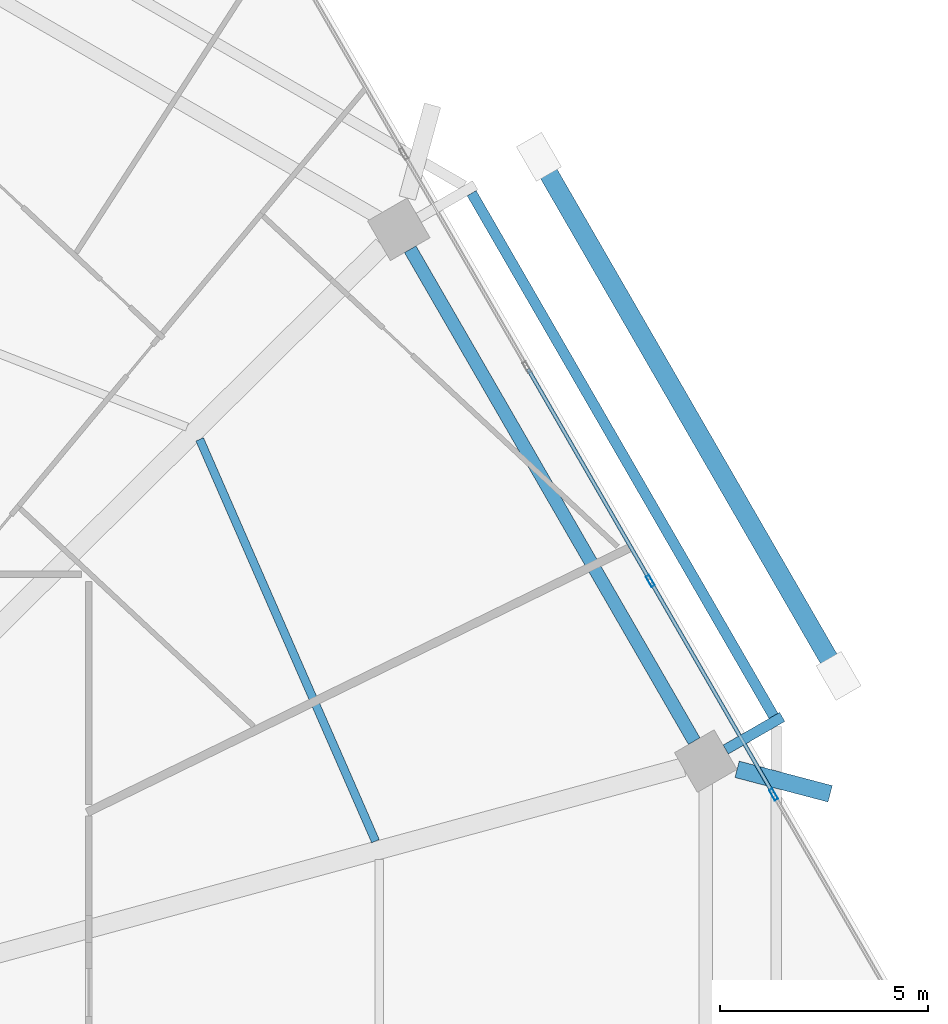
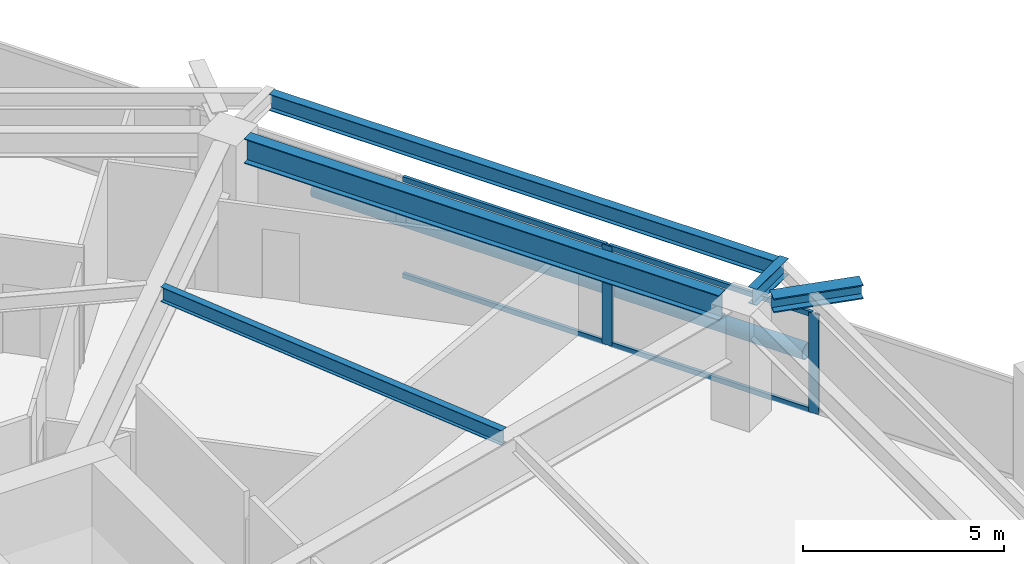
# One storey, part 20 of 33: 7 members, 5 beams, 1 element without a shape of its own.
"""IFC4 building model written with IfcOpenShell, lengths in metres."""

from ifc_helpers import new_model, si_unit, direction, frame, origin, origin_2d, place, context, subcontext, project, spatial, hollow_rectangle, hollow_circle, i_section, extrude, material, material_profile, profile_set, type_object, element, aggregate, save


model = new_model("IFC4")

# Units and contexts
model_context = context("Model", 3, precision=1e-05, world=origin(), true_north=direction((0.0, 1.0)))
body_context = subcontext(model_context, "Body", "Model", "MODEL_VIEW")
ifc_project = project(units=[si_unit("LENGTHUNIT", "METRE"), si_unit("AREAUNIT", "SQUARE_METRE"), si_unit("VOLUMEUNIT", "CUBIC_METRE"), si_unit("PLANEANGLEUNIT", "RADIAN"), si_unit("MASSUNIT", "GRAM", prefix="KILO")], contexts=[model_context])

# Site, building, storey
site_placement = place(None, origin())
site = spatial("IfcSite", under=ifc_project, at=site_placement, CompositionType="ELEMENT")
building_placement = place(site_placement, origin())
building = spatial("IfcBuilding", under=site, at=building_placement, Name="Zuhravey Tower", CompositionType="ELEMENT")
storey_placement = place(building_placement, frame((0.0, 0.0, 141.800048828125)))
storey = spatial("IfcBuildingStorey", under=building, at=storey_placement, Name="L35", CompositionType="ELEMENT", Elevation=141.800048828125)

# Curtain wall, members
ifc_material_1 = material(Name="Thermally broken anodised aluminium", Category="aluminium")
curtain_wall_type = type_object("IfcCurtainWallType", Name="Zone 1-2 Residential Curtain Wall CW3", PredefinedType="NOTDEFINED", material=ifc_material_1)
curtain_wall_placement = place(storey_placement, origin())
curtain_wall = element("IfcCurtainWall", 1, at=curtain_wall_placement, inside=storey, type_object=curtain_wall_type, Name="L35 CW3 CW-L35-F1-1", PredefinedType="NOTDEFINED")
ifc_material_2 = material(Name="Anodised aluminium", Category="aluminium")
ifc_material_profile_1 = material_profile(ifc_material_2, hollow_rectangle(XDim=0.090087890625, YDim=0.284912109375, WallThickness=0.0048828125, at=origin_2d()), Name="ALU-RHS-90x285x5")
ifc_profile_set_1 = profile_set([ifc_material_profile_1], Name="Anodised aluminium")
member_type_1 = type_object("IfcMemberType", Name="Curtain-Wall Mullion 90x180", PredefinedType="MULLION", material=ifc_profile_set_1)
member_1_placement = place(storey_placement, frame((62.55859375, 43.916015625, 0.0), z_axis=(0.0, 0.0, 1.0), x_axis=(0.86602552265, 0.499999794119, 0.0)))
member_1 = element("IfcMember", 2, at=member_1_placement, type_object=member_type_1, Name="CW3 mullion 4", PredefinedType="MULLION", context=body_context, shape_type="SweptSolid", body=[
    extrude(hollow_rectangle(XDim=0.090087890625, YDim=0.284912109375, WallThickness=0.0048828125, at=origin_2d()), origin(), (0.0, 0.0, 1.0), 3.02001953125),
])
member_2_placement = place(storey_placement, frame((65.5185546875, 38.789306640625, 0.0), z_axis=(0.0, 0.0, 1.0), x_axis=(0.86602552265, 0.499999794119, 0.0)))
member_2 = element("IfcMember", 3, at=member_2_placement, type_object=member_type_1, Name="CW3 mullion 5", PredefinedType="MULLION", context=body_context, shape_type="SweptSolid", body=[
    extrude(hollow_rectangle(XDim=0.090087890625, YDim=0.284912109375, WallThickness=0.0048828125, at=origin_2d()), origin(), (0.0, 0.0, 1.0), 3.02001953125),
])
ifc_material_profile_2 = material_profile(ifc_material_2, hollow_rectangle(XDim=0.090087890625, YDim=0.14990234375, WallThickness=0.0048828125, at=origin_2d()), Name="ALU-RHS-90x150x5")
ifc_profile_set_2 = profile_set([ifc_material_profile_2], Name="Anodised aluminium")
member_type_2 = type_object("IfcMemberType", Name="Curtain-Wall Transom 90x150", PredefinedType="USERDEFINED", material=ifc_profile_set_2)
member_3_placement = place(storey_placement, frame((59.621337890625, 49.003662109375, 0.044921875), z_axis=(0.499981042766, -0.866036348472, 0.0), x_axis=(0.866036348472, 0.499981042766, 0.0)))
member_3 = element("IfcMember", 4, at=member_3_placement, type_object=member_type_2, Name="CW3 transom 3.1", ObjectType="TRANSOM", PredefinedType="USERDEFINED", context=body_context, shape_type="SweptSolid", body=[
    extrude(hollow_rectangle(XDim=0.090087890625, YDim=0.14990234375, WallThickness=0.0048828125, at=origin_2d()), origin(), (0.0, 0.0, 1.0), 5.829833984375),
])
member_4_placement = place(storey_placement, frame((59.621337890625, 49.003662109375, 2.974853515625), z_axis=(0.499981042766, -0.866036348472, 0.0), x_axis=(0.866036348472, 0.499981042766, 0.0)))
member_4 = element("IfcMember", 5, at=member_4_placement, type_object=member_type_2, Name="CW3 transom 3.2", ObjectType="TRANSOM", PredefinedType="USERDEFINED", context=body_context, shape_type="SweptSolid", body=[
    extrude(hollow_rectangle(XDim=0.090087890625, YDim=0.14990234375, WallThickness=0.0048828125, at=origin_2d()), origin(), (0.0, 0.0, 1.0), 5.829833984375),
])
member_5_placement = place(storey_placement, frame((62.581298828125, 43.876953125, 0.044921875), z_axis=(0.499981042766, -0.866036348472, 0.0), x_axis=(0.866036348472, 0.499981042766, 0.0)))
member_5 = element("IfcMember", 6, at=member_5_placement, type_object=member_type_2, Name="CW3 transom 4.1", ObjectType="TRANSOM", PredefinedType="USERDEFINED", context=body_context, shape_type="SweptSolid", body=[
    extrude(hollow_rectangle(XDim=0.090087890625, YDim=0.14990234375, WallThickness=0.0048828125, at=origin_2d()), origin(), (0.0, 0.0, 1.0), 5.829833984375),
])
member_6_placement = place(storey_placement, frame((62.581298828125, 43.876953125, 2.974853515625), z_axis=(0.499981042766, -0.866036348472, 0.0), x_axis=(0.866036348472, 0.499981042766, 0.0)))
member_6 = element("IfcMember", 7, at=member_6_placement, type_object=member_type_2, Name="CW3 transom 4.2", ObjectType="TRANSOM", PredefinedType="USERDEFINED", context=body_context, shape_type="SweptSolid", body=[
    extrude(hollow_rectangle(XDim=0.090087890625, YDim=0.14990234375, WallThickness=0.0048828125, at=origin_2d()), origin(), (0.0, 0.0, 1.0), 5.829833984375),
])
aggregate(curtain_wall, [member_1, member_2, member_3, member_4, member_5, member_6])

# Beam
ifc_material_3 = material(Name="Steel SM460", Category="steel")
ifc_material_profile_3 = material_profile(ifc_material_3, i_section(OverallWidth=0.406982421875, OverallDepth=0.427978515625, WebThickness=0.02001953125, FlangeThickness=0.034912109375, at=origin_2d()), Name="H-428x407x20x35")
ifc_profile_set_3 = profile_set([ifc_material_profile_3], Name="Steel SM460")
beam_type_1 = type_object("IfcBeamType", Name="Exoskeleton Node Tie Beam H428x407", PredefinedType="BEAM", material=ifc_profile_set_3)
beam_1_placement = place(storey_placement, frame((64.641845703125, 39.3935546875, 3.305908203125), z_axis=(0.967059479468, -0.254550512023, 0.0), x_axis=(0.254550512023, 0.967059479468, 0.0)))
element("IfcBeam", 8, at=beam_1_placement, inside=storey, type_object=beam_type_1, Name="L35 Exoskeleton Node Tie NT1-01", PredefinedType="BEAM", context=body_context, shape_type="SweptSolid", body=[
    extrude(i_section(OverallWidth=0.406982421875, OverallDepth=0.427978515625, WebThickness=0.02001953125, FlangeThickness=0.034912109375, at=origin_2d()), origin(), (0.0, 0.0, 1.0), 2.310546875),
])

# Member
ifc_material_4 = material(Name="Steel SM355", Category="steel")
ifc_material_profile_4 = material_profile(ifc_material_4, hollow_circle(Radius=0.228515625, WallThickness=0.02197265625, at=origin_2d()), Name="CHS-457.2x22")
ifc_profile_set_4 = profile_set([ifc_material_profile_4], Name="Steel SM355")
member_type_3 = type_object("IfcMemberType", Name="Exoskeleton Ring Tie CHS457x22", PredefinedType="CHORD", material=ifc_profile_set_4)
member_7_placement = place(storey_placement, frame((67.0087890625, 41.758056640625, -0.464111328125), z_axis=(-0.499995593262, 0.866027948001, 0.0), x_axis=(-0.866027948001, -0.499995593262, 0.0)))
element("IfcMember", 9, at=member_7_placement, inside=storey, type_object=member_type_3, Name="L35 Exoskeleton Face 1 Tie EXR1", PredefinedType="CHORD", context=body_context, shape_type="SweptSolid", body=[
    extrude(hollow_circle(Radius=0.228515625, WallThickness=0.02197265625, at=origin_2d()), origin(), (0.0, 0.0, 1.0), 14.107666015625),
])

# Beams
ifc_material_profile_5 = material_profile(ifc_material_4, i_section(OverallWidth=0.320068359375, OverallDepth=0.75, WebThickness=0.013916015625, FlangeThickness=0.02490234375, at=origin_2d()), Name="H-750x320x14x25")
ifc_profile_set_5 = profile_set([ifc_material_profile_5], Name="Steel SM355")
beam_type_2 = type_object("IfcBeamType", Name="Perimeter Ring Beam H750x320", PredefinedType="BEAM", material=ifc_profile_set_5)
beam_2_placement = place(storey_placement, frame((63.612548828125, 40.070556640625, 3.14501953125), z_axis=(-0.500008177929, 0.866020682204, 0.0), x_axis=(-0.866020682204, -0.500008177929, 0.0)))
element("IfcBeam", 10, at=beam_2_placement, inside=storey, type_object=beam_type_2, Name="L35 PB1 BM-L35-PB-01", PredefinedType="BEAM", context=body_context, shape_type="SweptSolid", body=[
    extrude(i_section(OverallWidth=0.320068359375, OverallDepth=0.75, WebThickness=0.013916015625, FlangeThickness=0.02490234375, at=origin_2d()), origin(), (0.0, 0.0, 1.0), 13.634033203125),
])
ifc_material_profile_6 = material_profile(ifc_material_4, i_section(OverallWidth=0.199951171875, OverallDepth=0.449951171875, WebThickness=0.009033203125, FlangeThickness=0.013916015625, at=origin_2d()), Name="H-450x200x9x14")
ifc_profile_set_6 = profile_set([ifc_material_profile_6], Name="Steel SM355")
beam_type_3 = type_object("IfcBeamType", Name="Secondary Floor Joist H450x200", PredefinedType="JOIST", material=ifc_profile_set_6)
beam_3_placement = place(storey_placement, frame((55.960693359375, 37.668212890625, 3.294921875), z_axis=(-0.400792074999, 0.916169041508, 0.0), x_axis=(-0.916169041508, -0.400792074999, 0.0)))
element("IfcBeam", 11, at=beam_3_placement, inside=storey, type_object=beam_type_3, Name="L35 SJ1 BM-L35-SJ-01-1", PredefinedType="JOIST", context=body_context, shape_type="SweptSolid", body=[
    extrude(i_section(OverallWidth=0.199951171875, OverallDepth=0.449951171875, WebThickness=0.009033203125, FlangeThickness=0.013916015625, at=origin_2d()), origin(), (0.0, 0.0, 1.0), 10.52978515625),
])
ifc_material_profile_7 = material_profile(ifc_material_4, i_section(OverallWidth=0.25, OverallDepth=0.5, WebThickness=0.010009765625, FlangeThickness=0.01611328125, at=origin_2d()), Name="H-500x250x10x16")
ifc_profile_set_7 = profile_set([ifc_material_profile_7], Name="Steel SM355")
beam_type_4 = type_object("IfcBeamType", Name="Tray Cantilever Spandrel H500x250", PredefinedType="SPANDREL", material=ifc_profile_set_7)
beam_4_placement = place(storey_placement, frame((64.368896484375, 39.86865234375, 3.27001953125), z_axis=(0.86603760523, 0.499978865881, 0.0), x_axis=(-0.499978865881, 0.86603760523, 0.0)))
element("IfcBeam", 12, at=beam_4_placement, inside=storey, type_object=beam_type_4, Name="L35 Sky-Tray Cantilever Arm TSB1-R01", PredefinedType="SPANDREL", context=body_context, shape_type="SweptSolid", body=[
    extrude(i_section(OverallWidth=0.25, OverallDepth=0.5, WebThickness=0.010009765625, FlangeThickness=0.01611328125, at=origin_2d()), origin(), (0.0, 0.0, 1.0), 1.56591796875),
])
beam_5_placement = place(storey_placement, frame((65.516357421875, 40.673095703125, 3.27001953125), z_axis=(-0.500001430823, 0.866024577697, 0.0), x_axis=(-0.866024577697, -0.500001430823, 0.0)))
element("IfcBeam", 13, at=beam_5_placement, inside=storey, type_object=beam_type_4, Name="L35 Sky-Tray Edge Spandrel TSB1-01", PredefinedType="SPANDREL", context=body_context, shape_type="SweptSolid", body=[
    extrude(i_section(OverallWidth=0.25, OverallDepth=0.5, WebThickness=0.010009765625, FlangeThickness=0.01611328125, at=origin_2d()), origin(), (0.0, 0.0, 1.0), 14.494140625),
])

save(model, "model.ifc")
